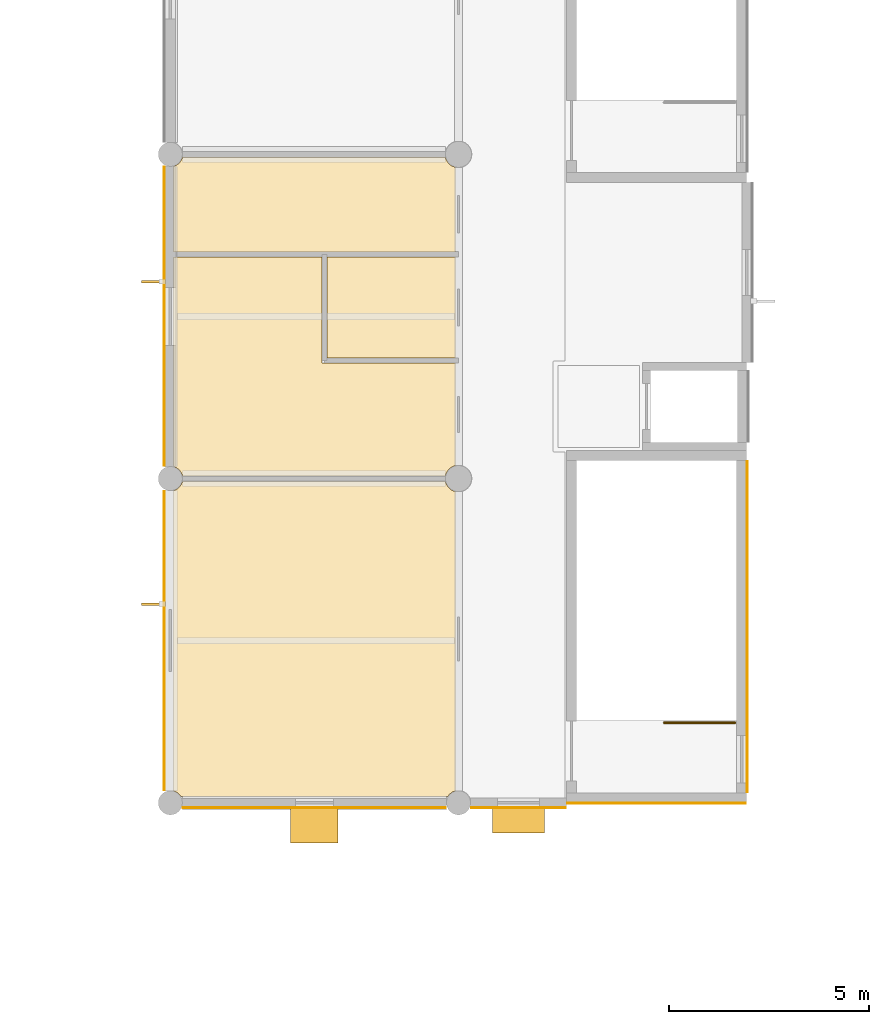
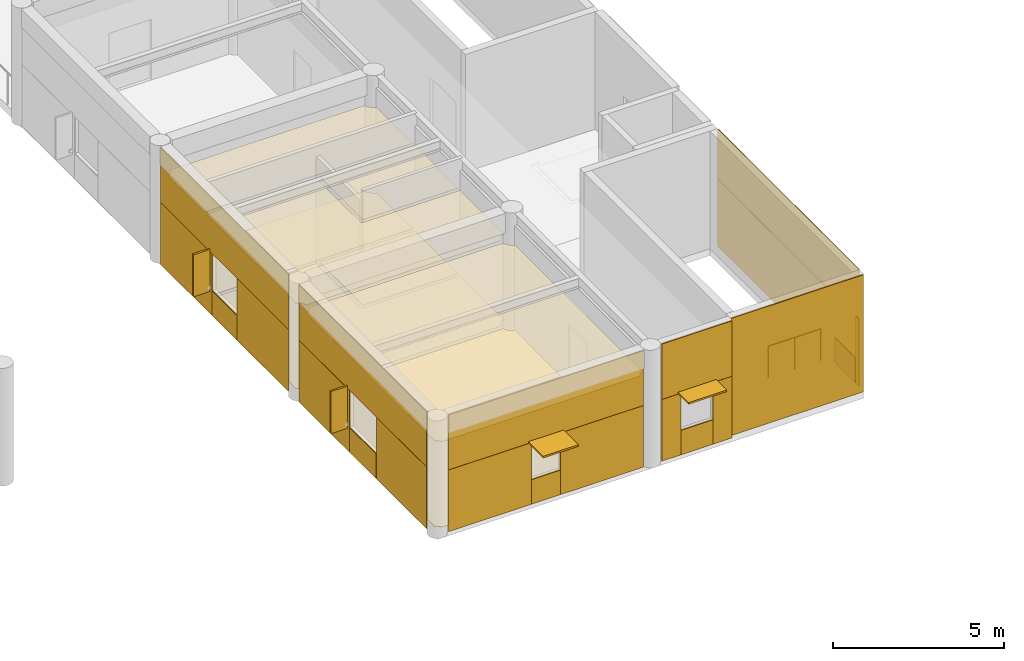
# One storey, part 53 of 55: 29 coverings, 4 shading devices, 1 railing.
"""IFC4 building model written with IfcOpenShell, lengths in metres."""

from ifc_helpers import new_model, si_unit, direction, frame, origin, origin_2d, place, context, subcontext, project, spatial, polyline, rectangle, circle, outline, extrude, material, layer, layer_set, type_object, element, save


model = new_model("IFC4")

# Units and contexts
model_context = context("Model", 3, precision=1e-05, world=origin(), true_north=direction((0.0, 1.0)))
body_context = subcontext(model_context, "Body", "Model", "MODEL_VIEW")
ifc_project = project(units=[si_unit("LENGTHUNIT", "METRE"), si_unit("AREAUNIT", "SQUARE_METRE"), si_unit("VOLUMEUNIT", "CUBIC_METRE"), si_unit("PLANEANGLEUNIT", "RADIAN"), si_unit("MASSUNIT", "GRAM", prefix="KILO")], contexts=[model_context])

# Site, building, storey
site_placement = place(None, origin())
site = spatial("IfcSite", under=ifc_project, at=site_placement, CompositionType="ELEMENT")
building_placement = place(site_placement, origin())
building = spatial("IfcBuilding", under=site, at=building_placement, Name="Namkhue Oval Health Centre", CompositionType="ELEMENT")
storey_placement = place(building_placement, frame((0.0, 0.0, 9.60009765625)))
storey = spatial("IfcBuildingStorey", under=building, at=storey_placement, Name="L02", CompositionType="ELEMENT", Elevation=9.60009765625)

# Coverings
ifc_material_1 = material(Name="Acoustic mineral-fibre cleanroom ceiling", Category="gypsum")
ifc_layer_1 = layer(ifc_material_1, 0.02001953125)
ifc_layer_set_1 = layer_set([ifc_layer_1], Name="Acoustic mineral-fibre cleanroom ceiling")
covering_type_1 = type_object("IfcCoveringType", Name="ACOUSTIC CLEANROOM CEILING 20", PredefinedType="CEILING", material=ifc_layer_set_1)
covering_1_placement = place(storey_placement, frame((0.0, 0.0, 3.0498046875)))
element("IfcCovering", 1, at=covering_1_placement, inside=storey, type_object=covering_type_1, Name="Acoustic Ceiling L02-601 Electrotherapy Pain Clinic", PredefinedType="CEILING", context=body_context, shape_type="SweptSolid", body=[
    extrude(outline(polyline([(137.068603515625, 43.35498046875), (137.019287109375, 43.419189453125), (136.955078125, 43.468505859375), (136.885009765625, 43.49755859375), (136.885009765625, 51.00244140625), (136.955078125, 51.031494140625), (137.019287109375, 51.080810546875), (137.068603515625, 51.14501953125), (137.099365234375, 51.2197265625), (137.100830078125, 51.22998046875), (143.67431640625, 51.22998046875), (143.676513671875, 51.21337890625), (143.7099609375, 51.132568359375), (143.76318359375, 51.06298828125), (143.83251953125, 51.010009765625), (143.919921875, 50.9755859375), (143.919921875, 43.49951171875), (143.844970703125, 43.468505859375), (143.78076171875, 43.419189453125), (143.7314453125, 43.35498046875), (137.068603515625, 43.35498046875)])), origin(), (0.0, 0.0, 1.0), 0.02001953125),
])
covering_2_placement = place(storey_placement, frame((0.0, 0.0, 3.0498046875)))
element("IfcCovering", 2, at=covering_2_placement, inside=storey, type_object=covering_type_1, Name="Acoustic Ceiling L02-602 Orthotics Casting Utility Room", PredefinedType="CEILING", context=body_context, shape_type="SweptSolid", body=[
    extrude(outline(polyline([(136.885009765625, 56.840087890625), (140.590087890625, 56.840087890625), (140.590087890625, 54.18994140625), (143.919921875, 54.18994140625), (143.919921875, 51.62451171875), (143.83251953125, 51.590087890625), (143.76318359375, 51.536865234375), (143.7099609375, 51.467529296875), (143.676513671875, 51.38671875), (143.67431640625, 51.3701171875), (137.100830078125, 51.3701171875), (137.099365234375, 51.380126953125), (137.068603515625, 51.455078125), (137.019287109375, 51.519287109375), (136.955078125, 51.568603515625), (136.885009765625, 51.597412109375), (136.885009765625, 56.840087890625)])), origin(), (0.0, 0.0, 1.0), 0.02001953125),
])
covering_3_placement = place(storey_placement, frame((0.0, 0.0, 3.0498046875)))
element("IfcCovering", 3, at=covering_3_placement, inside=storey, type_object=covering_type_1, Name="Acoustic Ceiling L02-603 Accessible WC", PredefinedType="CEILING", context=body_context, shape_type="SweptSolid", body=[
    extrude(outline(polyline([(140.7099609375, 54.31005859375), (140.7099609375, 56.840087890625), (143.919921875, 56.840087890625), (143.919921875, 54.31005859375), (140.7099609375, 54.31005859375)])), origin(), (0.0, 0.0, 1.0), 0.02001953125),
])
covering_4_placement = place(storey_placement, frame((0.0, 0.0, 3.0498046875)))
element("IfcCovering", 4, at=covering_4_placement, inside=storey, type_object=covering_type_1, Name="Acoustic Ceiling L02-604 Patient Washroom", PredefinedType="CEILING", context=body_context, shape_type="SweptSolid", body=[
    extrude(outline(polyline([(136.885009765625, 56.9599609375), (136.885009765625, 59.1025390625), (136.955078125, 59.131591796875), (137.019287109375, 59.180908203125), (137.068603515625, 59.2451171875), (137.099365234375, 59.31982421875), (137.100830078125, 59.330078125), (143.67431640625, 59.330078125), (143.676513671875, 59.313232421875), (143.7099609375, 59.232421875), (143.76318359375, 59.1630859375), (143.83251953125, 59.10986328125), (143.919921875, 59.075439453125), (143.919921875, 56.9599609375), (136.885009765625, 56.9599609375)])), origin(), (0.0, 0.0, 1.0), 0.02001953125),
])
ifc_material_2 = material(Name="Homogeneous anti-bacterial clinical vinyl flooring", Category="plastic")
ifc_layer_2 = layer(ifc_material_2, 0.014892578125)
ifc_layer_set_2 = layer_set([ifc_layer_2], Name="Homogeneous anti-bacterial clinical vinyl flooring")
covering_type_2 = type_object("IfcCoveringType", Name="CLINICAL ANTIBACTERIAL VINYL FLOORING 15", PredefinedType="FLOORING", material=ifc_layer_set_2)
covering_5_placement = place(storey_placement, origin())
element("IfcCovering", 5, at=covering_5_placement, inside=storey, type_object=covering_type_2, Name="Clinical Flooring L02-601 Electrotherapy Pain Clinic", PredefinedType="FLOORING", context=body_context, shape_type="SweptSolid", body=[
    extrude(outline(polyline([(137.068603515625, 43.35498046875), (137.019287109375, 43.419189453125), (136.955078125, 43.468505859375), (136.885009765625, 43.49755859375), (136.885009765625, 51.00244140625), (136.955078125, 51.031494140625), (137.019287109375, 51.080810546875), (137.068603515625, 51.14501953125), (137.099365234375, 51.2197265625), (137.100830078125, 51.22998046875), (143.67431640625, 51.22998046875), (143.676513671875, 51.21337890625), (143.7099609375, 51.132568359375), (143.76318359375, 51.06298828125), (143.83251953125, 51.010009765625), (143.919921875, 50.9755859375), (143.919921875, 43.49951171875), (143.844970703125, 43.468505859375), (143.78076171875, 43.419189453125), (143.7314453125, 43.35498046875), (137.068603515625, 43.35498046875)])), origin(), (0.0, 0.0, 1.0), 0.014892578125),
])
covering_6_placement = place(storey_placement, origin())
element("IfcCovering", 6, at=covering_6_placement, inside=storey, type_object=covering_type_2, Name="Clinical Flooring L02-602 Orthotics Casting Utility Room", PredefinedType="FLOORING", context=body_context, shape_type="SweptSolid", body=[
    extrude(outline(polyline([(136.885009765625, 56.840087890625), (140.590087890625, 56.840087890625), (140.590087890625, 54.18994140625), (143.919921875, 54.18994140625), (143.919921875, 51.62451171875), (143.83251953125, 51.590087890625), (143.76318359375, 51.536865234375), (143.7099609375, 51.467529296875), (143.676513671875, 51.38671875), (143.67431640625, 51.3701171875), (137.100830078125, 51.3701171875), (137.099365234375, 51.380126953125), (137.068603515625, 51.455078125), (137.019287109375, 51.519287109375), (136.955078125, 51.568603515625), (136.885009765625, 51.597412109375), (136.885009765625, 56.840087890625)])), origin(), (0.0, 0.0, 1.0), 0.014892578125),
])
covering_7_placement = place(storey_placement, origin())
element("IfcCovering", 7, at=covering_7_placement, inside=storey, type_object=covering_type_2, Name="Clinical Flooring L02-603 Accessible WC", PredefinedType="FLOORING", context=body_context, shape_type="SweptSolid", body=[
    extrude(outline(polyline([(140.7099609375, 54.31005859375), (140.7099609375, 56.840087890625), (143.919921875, 56.840087890625), (143.919921875, 54.31005859375), (140.7099609375, 54.31005859375)])), origin(), (0.0, 0.0, 1.0), 0.014892578125),
])
covering_8_placement = place(storey_placement, origin())
element("IfcCovering", 8, at=covering_8_placement, inside=storey, type_object=covering_type_2, Name="Clinical Flooring L02-604 Patient Washroom", PredefinedType="FLOORING", context=body_context, shape_type="SweptSolid", body=[
    extrude(outline(polyline([(136.885009765625, 56.9599609375), (136.885009765625, 59.1025390625), (136.955078125, 59.131591796875), (137.019287109375, 59.180908203125), (137.068603515625, 59.2451171875), (137.099365234375, 59.31982421875), (137.100830078125, 59.330078125), (143.67431640625, 59.330078125), (143.676513671875, 59.313232421875), (143.7099609375, 59.232421875), (143.76318359375, 59.1630859375), (143.83251953125, 59.10986328125), (143.919921875, 59.075439453125), (143.919921875, 56.9599609375), (136.885009765625, 56.9599609375)])), origin(), (0.0, 0.0, 1.0), 0.014892578125),
])

# Railing
ifc_material_3 = material(Name="Brushed stainless steel 316L balustrade with laminated glass infill", Category="steel")
railing_type = type_object("IfcRailingType", Name="INTERIOR BALUSTRADE GUARD 1150", PredefinedType="BALUSTRADE", material=ifc_material_3)
railing_placement = place(storey_placement, frame((149.139892578125, 45.199951171875, 0.0)))
element("IfcRailing", 9, at=railing_placement, inside=storey, type_object=railing_type, Name="Stair ST-11 L02 Landing Well Edge Guard", PredefinedType="BALUSTRADE", context=body_context, shape_type="SweptSolid", body=[
    extrude(circle(Radius=0.02392578125, at=origin_2d()), frame((0.0, 0.0, 1.1259765625), z_axis=(1.0, 0.0, 0.0), x_axis=(0.0, 1.0, 0.0)), (0.0, 0.0, 1.0), 1.77001953125),
    extrude(circle(Radius=0.02099609375, at=origin_2d()), origin(), (0.0, 0.0, 1.0), 1.101806640625),
    extrude(circle(Radius=0.02099609375, at=origin_2d()), frame((0.885009765625, 0.0, 0.0)), (0.0, 0.0, 1.0), 1.101806640625),
    extrude(circle(Radius=0.02099609375, at=origin_2d()), frame((1.77001953125, 0.0, 0.0)), (0.0, 0.0, 1.0), 1.101806640625),
])

# Shading devices
ifc_material_4 = material(Name="Anodised aluminium EN AW-6063 T6", Category="aluminium")
ifc_layer_3 = layer(ifc_material_4, 0.06005859375)
ifc_layer_set_3 = layer_set([ifc_layer_3], Name="Anodised aluminium EN AW-6063 T6")
shading_device_type_1 = type_object("IfcShadingDeviceType", Name="MONSOON SUN LOUVRE 900", PredefinedType="JALOUSIE", material=ifc_layer_set_3)
shading_device_1_placement = place(storey_placement, frame((140.39990234375, 42.64990234375, 2.219970703125), z_axis=(0.0, 0.0, 1.0), x_axis=(1.0, 0.0, 0.0)))
element("IfcShadingDevice", 10, at=shading_device_1_placement, inside=storey, type_object=shading_device_type_1, Name="Volume V6 L02 Window Monsoon Louvre 312", PredefinedType="JALOUSIE", context=body_context, shape_type="SweptSolid", body=[
    extrude(rectangle(XDim=1.18994140625, YDim=0.89990234375, at=origin_2d()), origin(), (0.0, 0.0, 1.0), 0.06005859375),
])
ifc_layer_4 = layer(ifc_material_4, 0.050048828125)
ifc_layer_set_4 = layer_set([ifc_layer_4], Name="Anodised aluminium EN AW-6063 T6")
shading_device_type_2 = type_object("IfcShadingDeviceType", Name="STORM SHUTTER LOUVRE 650", PredefinedType="SHUTTER", material=ifc_layer_set_4)
shading_device_2_placement = place(storey_placement, frame((145.49658203125, 42.77001953125, 2.219970703125), z_axis=(0.0, 0.0, 1.0), x_axis=(1.0, 0.0, 0.0)))
element("IfcShadingDevice", 11, at=shading_device_2_placement, inside=storey, type_object=shading_device_type_2, Name="Volume V6 L02 Window Monsoon Louvre 313", PredefinedType="SHUTTER", context=body_context, shape_type="SweptSolid", body=[
    extrude(rectangle(XDim=1.2900390625, YDim=0.64990234375, at=origin_2d()), origin(), (0.0, 0.0, 1.0), 0.06005859375),
])
shading_device_type_3 = type_object("IfcShadingDeviceType", Name="VERTICAL SOLAR FIN 600", PredefinedType="USERDEFINED", material=ifc_material_4)
for number, where, z_axis, x_axis, name in (
    (12, (136.3798828125, 56.215087890625, 0.7998046875), (0.0, 0.0, 1.0), (-1.0, 0.0, 0.0), "Volume V6 L02 Window Solar Fin 317"),
    (13, (136.375, 48.1650390625, 0.7998046875), (0.0, 0.0, 1.0), (-1.0, 0.0, 0.0), "Volume V6 L02 Window Solar Fin 318"),
):
    element("IfcShadingDevice", number, at=place(storey_placement, frame(where, z_axis=z_axis, x_axis=x_axis)), inside=storey, type_object=shading_device_type_3, Name=name, ObjectType="SOLAR FIN", PredefinedType="USERDEFINED", context=body_context, shape_type="SweptSolid", body=[
        extrude(rectangle(XDim=0.60009765625, YDim=0.06005859375, at=origin_2d()), origin(), (0.0, 0.0, 1.0), 1.5),
    ])

# Coverings
ifc_material_5 = material(Name="White glass-fibre reinforced concrete GRC rainscreen cladding", Category="concrete")
ifc_layer_5 = layer(ifc_material_5, 0.02490234375)
ifc_layer_set_5 = layer_set([ifc_layer_5], Name="White glass-fibre reinforced concrete GRC rainscreen cladding")
covering_type_3 = type_object("IfcCoveringType", Name="WHITE GRC RAINSCREEN CLADDING 25", PredefinedType="CLADDING", material=ifc_layer_set_5)
covering_9_placement = place(storey_placement, frame((140.39990234375, 43.077880859375, 2.21484375), z_axis=(0.0, 0.0, 1.0), x_axis=(1.0, 0.0, 0.0)))
element("IfcCovering", 14, at=covering_9_placement, inside=storey, type_object=covering_type_3, Name="Volume V6 L02 Facade 181 White GRC Cladding 1", PredefinedType="CLADDING", context=body_context, shape_type="SweptSolid", body=[
    extrude(rectangle(XDim=6.570068359375, YDim=0.02490234375, at=origin_2d()), origin(), (0.0, 0.0, 1.0), 1.97509765625),
])
covering_10_placement = place(storey_placement, frame((138.512451171875, 43.077880859375, 0.009765625), z_axis=(0.0, 0.0, 1.0), x_axis=(1.0, 0.0, 0.0)))
element("IfcCovering", 15, at=covering_10_placement, inside=storey, type_object=covering_type_3, Name="Volume V6 L02 Facade 181 White GRC Cladding 2", PredefinedType="CLADDING", context=body_context, shape_type="SweptSolid", body=[
    extrude(rectangle(XDim=2.794921875, YDim=0.02490234375, at=origin_2d()), origin(), (0.0, 0.0, 1.0), 2.199951171875),
])
covering_11_placement = place(storey_placement, frame((140.39990234375, 43.077880859375, 0.010009765625), z_axis=(0.0, 0.0, 1.0), x_axis=(1.0, 0.0, 0.0)))
element("IfcCovering", 16, at=covering_11_placement, inside=storey, type_object=covering_type_3, Name="Volume V6 L02 Facade 181 White GRC Cladding 3", PredefinedType="CLADDING", context=body_context, shape_type="SweptSolid", body=[
    extrude(rectangle(XDim=0.969970703125, YDim=0.02490234375, at=origin_2d()), origin(), (0.0, 0.0, 1.0), 0.875),
])
covering_12_placement = place(storey_placement, frame((142.28759765625, 43.077880859375, 0.009765625), z_axis=(0.0, 0.0, 1.0), x_axis=(1.0, 0.0, 0.0)))
element("IfcCovering", 17, at=covering_12_placement, inside=storey, type_object=covering_type_3, Name="Volume V6 L02 Facade 181 White GRC Cladding 4", PredefinedType="CLADDING", context=body_context, shape_type="SweptSolid", body=[
    extrude(rectangle(XDim=2.794921875, YDim=0.02490234375, at=origin_2d()), origin(), (0.0, 0.0, 1.0), 2.199951171875),
])
covering_13_placement = place(storey_placement, frame((145.49658203125, 43.072998046875, 2.21484375), z_axis=(0.0, 0.0, 1.0), x_axis=(1.0, 0.0, 0.0)))
element("IfcCovering", 18, at=covering_13_placement, inside=storey, type_object=covering_type_3, Name="Volume V6 L02 Facade 182 White GRC Cladding 1", PredefinedType="CLADDING", context=body_context, shape_type="SweptSolid", body=[
    extrude(rectangle(XDim=2.363037109375, YDim=0.02490234375, at=origin_2d()), origin(), (0.0, 0.0, 1.0), 1.97509765625),
])
covering_14_placement = place(storey_placement, frame((144.6357421875, 43.072998046875, 0.009765625), z_axis=(0.0, 0.0, 1.0), x_axis=(1.0, 0.0, 0.0)))
element("IfcCovering", 19, at=covering_14_placement, inside=storey, type_object=covering_type_3, Name="Volume V6 L02 Facade 182 White GRC Cladding 2", PredefinedType="CLADDING", context=body_context, shape_type="SweptSolid", body=[
    extrude(rectangle(XDim=0.6416015625, YDim=0.02490234375, at=origin_2d()), origin(), (0.0, 0.0, 1.0), 2.199951171875),
])
covering_15_placement = place(storey_placement, frame((145.49658203125, 43.072998046875, 0.010009765625), z_axis=(0.0, 0.0, 1.0), x_axis=(1.0, 0.0, 0.0)))
element("IfcCovering", 20, at=covering_15_placement, inside=storey, type_object=covering_type_3, Name="Volume V6 L02 Facade 182 White GRC Cladding 3", PredefinedType="CLADDING", context=body_context, shape_type="SweptSolid", body=[
    extrude(rectangle(XDim=1.070068359375, YDim=0.02490234375, at=origin_2d()), origin(), (0.0, 0.0, 1.0), 0.875),
])
covering_16_placement = place(storey_placement, frame((146.357177734375, 43.072998046875, 0.009765625), z_axis=(0.0, 0.0, 1.0), x_axis=(1.0, 0.0, 0.0)))
element("IfcCovering", 21, at=covering_16_placement, inside=storey, type_object=covering_type_3, Name="Volume V6 L02 Facade 182 White GRC Cladding 4", PredefinedType="CLADDING", context=body_context, shape_type="SweptSolid", body=[
    extrude(rectangle(XDim=0.6416015625, YDim=0.02490234375, at=origin_2d()), origin(), (0.0, 0.0, 1.0), 2.199951171875),
])
covering_17_placement = place(storey_placement, frame((136.64794921875, 55.35009765625, 2.21484375), z_axis=(0.0, 0.0, 1.0), x_axis=(0.0, -1.0, 0.0)))
element("IfcCovering", 22, at=covering_17_placement, inside=storey, type_object=covering_type_3, Name="Volume V6 L02 Facade 187 White GRC Cladding 1", PredefinedType="CLADDING", context=body_context, shape_type="SweptSolid", body=[
    extrude(rectangle(XDim=7.469970703125, YDim=0.02490234375, at=origin_2d()), origin(), (0.0, 0.0, 1.0), 1.97509765625),
])
covering_18_placement = place(storey_placement, frame((136.64794921875, 57.58740234375, 0.009765625), z_axis=(0.0, 0.0, 1.0), x_axis=(0.0, -1.0, 0.0)))
element("IfcCovering", 23, at=covering_18_placement, inside=storey, type_object=covering_type_3, Name="Volume V6 L02 Facade 187 White GRC Cladding 2", PredefinedType="CLADDING", context=body_context, shape_type="SweptSolid", body=[
    extrude(rectangle(XDim=2.9951171875, YDim=0.02490234375, at=origin_2d()), origin(), (0.0, 0.0, 1.0), 2.199951171875),
])
covering_19_placement = place(storey_placement, frame((136.64794921875, 55.35009765625, 0.010009765625), z_axis=(0.0, 0.0, 1.0), x_axis=(0.0, -1.0, 0.0)))
element("IfcCovering", 24, at=covering_19_placement, inside=storey, type_object=covering_type_3, Name="Volume V6 L02 Facade 187 White GRC Cladding 3", PredefinedType="CLADDING", context=body_context, shape_type="SweptSolid", body=[
    extrude(rectangle(XDim=1.469970703125, YDim=0.02490234375, at=origin_2d()), origin(), (0.0, 0.0, 1.0), 0.875),
])
covering_20_placement = place(storey_placement, frame((136.64794921875, 53.112548828125, 0.009765625), z_axis=(0.0, 0.0, 1.0), x_axis=(0.0, -1.0, 0.0)))
element("IfcCovering", 25, at=covering_20_placement, inside=storey, type_object=covering_type_3, Name="Volume V6 L02 Facade 187 White GRC Cladding 4", PredefinedType="CLADDING", context=body_context, shape_type="SweptSolid", body=[
    extrude(rectangle(XDim=2.9951171875, YDim=0.02490234375, at=origin_2d()), origin(), (0.0, 0.0, 1.0), 2.199951171875),
])
covering_21_placement = place(storey_placement, frame((136.64306640625, 47.25, 2.21484375), z_axis=(0.0, 0.0, 1.0), x_axis=(0.0, -1.0, 0.0)))
element("IfcCovering", 26, at=covering_21_placement, inside=storey, type_object=covering_type_3, Name="Volume V6 L02 Facade 188 White GRC Cladding 1", PredefinedType="CLADDING", context=body_context, shape_type="SweptSolid", body=[
    extrude(rectangle(XDim=7.469970703125, YDim=0.02490234375, at=origin_2d()), origin(), (0.0, 0.0, 1.0), 1.97509765625),
])
covering_22_placement = place(storey_placement, frame((136.64306640625, 49.512451171875, 0.009765625), z_axis=(0.0, 0.0, 1.0), x_axis=(0.0, -1.0, 0.0)))
element("IfcCovering", 27, at=covering_22_placement, inside=storey, type_object=covering_type_3, Name="Volume V6 L02 Facade 188 White GRC Cladding 2", PredefinedType="CLADDING", context=body_context, shape_type="SweptSolid", body=[
    extrude(rectangle(XDim=2.945068359375, YDim=0.02490234375, at=origin_2d()), origin(), (0.0, 0.0, 1.0), 2.199951171875),
])
covering_23_placement = place(storey_placement, frame((136.64306640625, 47.25, 0.010009765625), z_axis=(0.0, 0.0, 1.0), x_axis=(0.0, -1.0, 0.0)))
element("IfcCovering", 28, at=covering_23_placement, inside=storey, type_object=covering_type_3, Name="Volume V6 L02 Facade 188 White GRC Cladding 3", PredefinedType="CLADDING", context=body_context, shape_type="SweptSolid", body=[
    extrude(rectangle(XDim=1.570068359375, YDim=0.02490234375, at=origin_2d()), origin(), (0.0, 0.0, 1.0), 0.875),
])
covering_24_placement = place(storey_placement, frame((136.64306640625, 44.987548828125, 0.009765625), z_axis=(0.0, 0.0, 1.0), x_axis=(0.0, -1.0, 0.0)))
element("IfcCovering", 29, at=covering_24_placement, inside=storey, type_object=covering_type_3, Name="Volume V6 L02 Facade 188 White GRC Cladding 4", PredefinedType="CLADDING", context=body_context, shape_type="SweptSolid", body=[
    extrude(rectangle(XDim=2.945068359375, YDim=0.02490234375, at=origin_2d()), origin(), (0.0, 0.0, 1.0), 2.199951171875),
])
covering_25_placement = place(storey_placement, frame((148.949951171875, 43.18798828125, 0.009765625), z_axis=(0.0, 0.0, 1.0), x_axis=(1.0, 0.0, 0.0)))
element("IfcCovering", 30, at=covering_25_placement, inside=storey, type_object=covering_type_3, Name="Core SC-11 L02 Core S White GRC Cladding 1", PredefinedType="CLADDING", context=body_context, shape_type="SweptSolid", body=[
    extrude(rectangle(XDim=4.4599609375, YDim=0.02490234375, at=origin_2d()), origin(), (0.0, 0.0, 1.0), 4.179931640625),
])
covering_26_placement = place(storey_placement, frame((151.2119140625, 47.60009765625, 2.4150390625), z_axis=(0.0, 0.0, 1.0), x_axis=(0.0, 1.0, 0.0)))
element("IfcCovering", 31, at=covering_26_placement, inside=storey, type_object=covering_type_3, Name="Core SC-11 L02 Core E White GRC Cladding 1", PredefinedType="CLADDING", context=body_context, shape_type="SweptSolid", body=[
    extrude(rectangle(XDim=8.260009765625, YDim=0.02490234375, at=origin_2d()), origin(), (0.0, 0.0, 1.0), 1.77490234375),
])
covering_27_placement = place(storey_placement, frame((151.2119140625, 43.577392578125, 0.010009765625), z_axis=(0.0, 0.0, 1.0), x_axis=(0.0, 1.0, 0.0)))
element("IfcCovering", 32, at=covering_27_placement, inside=storey, type_object=covering_type_3, Name="Core SC-11 L02 Core E White GRC Cladding 2", PredefinedType="CLADDING", context=body_context, shape_type="SweptSolid", body=[
    extrude(rectangle(XDim=0.215087890625, YDim=0.02490234375, at=origin_2d()), origin(), (0.0, 0.0, 1.0), 2.39990234375),
])
covering_28_placement = place(storey_placement, frame((151.2119140625, 44.2900390625, 0.010009765625), z_axis=(0.0, 0.0, 1.0), x_axis=(0.0, 1.0, 0.0)))
element("IfcCovering", 33, at=covering_28_placement, inside=storey, type_object=covering_type_3, Name="Core SC-11 L02 Core E White GRC Cladding 3", PredefinedType="CLADDING", context=body_context, shape_type="SweptSolid", body=[
    extrude(rectangle(XDim=1.199951171875, YDim=0.02490234375, at=origin_2d()), origin(), (0.0, 0.0, 1.0), 0.89501953125),
])
covering_29_placement = place(storey_placement, frame((151.2119140625, 48.3125, 0.010009765625), z_axis=(0.0, 0.0, 1.0), x_axis=(0.0, 1.0, 0.0)))
element("IfcCovering", 34, at=covering_29_placement, inside=storey, type_object=covering_type_3, Name="Core SC-11 L02 Core E White GRC Cladding 4", PredefinedType="CLADDING", context=body_context, shape_type="SweptSolid", body=[
    extrude(rectangle(XDim=6.8349609375, YDim=0.02490234375, at=origin_2d()), origin(), (0.0, 0.0, 1.0), 2.39990234375),
])

save(model, "model.ifc")
